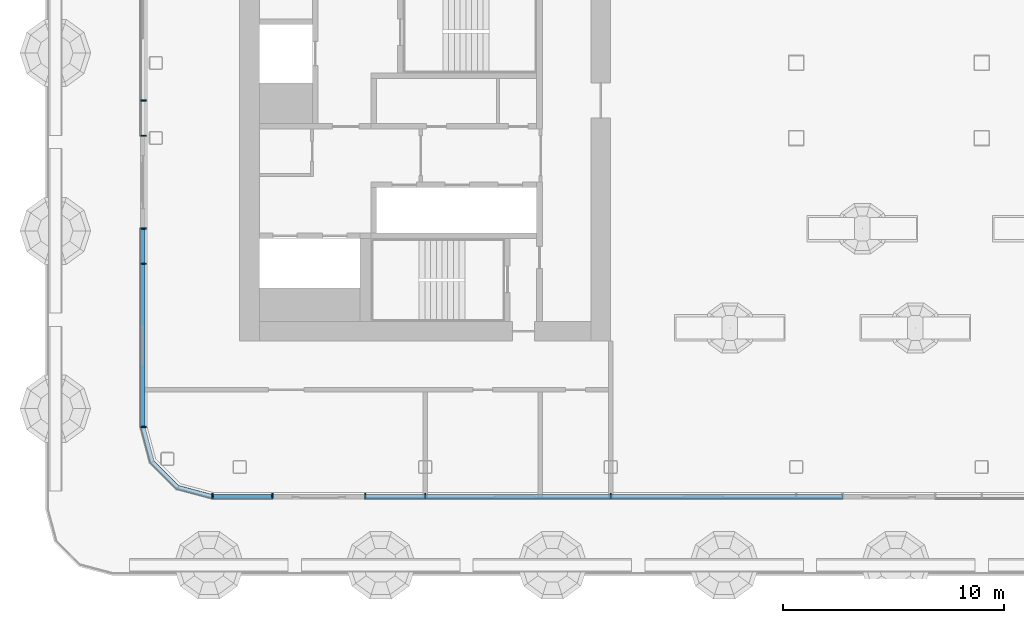
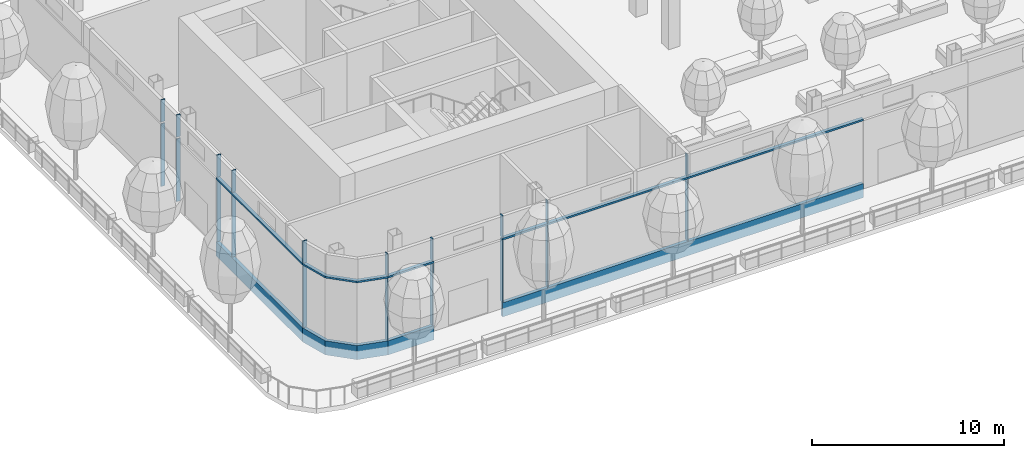
# One storey, part 2 of 41: 28 members, 3 elements without a shape of their own.
"""IFC4 building model written with IfcOpenShell, lengths in metres."""

from ifc_helpers import new_model, si_unit, direction, frame, origin, origin_2d, place, context, subcontext, project, spatial, polyline, rectangle, outline, extrude, material, layer, layer_set, material_profile, profile_set, type_object, element, aggregate, save


model = new_model("IFC4")

# Units and contexts
model_context = context("Model", 3, precision=1e-05, world=origin(), true_north=direction((0.0, 1.0)))
body_context = subcontext(model_context, "Body", "Model", "MODEL_VIEW")
ifc_project = project(units=[si_unit("LENGTHUNIT", "METRE"), si_unit("AREAUNIT", "SQUARE_METRE"), si_unit("VOLUMEUNIT", "CUBIC_METRE"), si_unit("PLANEANGLEUNIT", "RADIAN"), si_unit("MASSUNIT", "GRAM", prefix="KILO")], contexts=[model_context])

# Site, building, storey
site_placement = place(None, origin())
site = spatial("IfcSite", under=ifc_project, at=site_placement, CompositionType="ELEMENT")
building_placement = place(site_placement, origin())
building = spatial("IfcBuilding", under=site, at=building_placement, Name="Hakoniwa Tower and Hamabe Station Hall", CompositionType="ELEMENT")
storey_placement = place(building_placement, frame((0.0, 0.0, 180.199951171875)))
storey = spatial("IfcBuildingStorey", under=building, at=storey_placement, Name="L51", CompositionType="ELEMENT", Elevation=180.199951171875)

# Curtain wall, member
ifc_material_1 = material(Name="Dark low-e laminated glass", Category="glass")
ifc_layer = layer(ifc_material_1, 0.199951171875)
ifc_layer_set = layer_set([ifc_layer], Name="CW-2 SKY GARDEN")
curtain_wall_type = type_object("IfcCurtainWallType", Name="CW-2 SKY GARDEN", PredefinedType="NOTDEFINED", material=ifc_layer_set)
curtain_wall_1_placement = place(storey_placement, origin())
curtain_wall_1 = element("IfcCurtainWall", 1, at=curtain_wall_1_placement, inside=storey, type_object=curtain_wall_type, Name="CW-2 curtain wall", PredefinedType="NOTDEFINED")
ifc_material_2 = material(Name="Aluminium 6063-T5 black anodised", Category="aluminium")
ifc_material_profile_1 = material_profile(ifc_material_2, rectangle(XDim=0.199951171875, YDim=0.1201171875, at=origin_2d()), Name="CW MID TRANSOM 120X200")
ifc_profile_set_1 = profile_set([ifc_material_profile_1], Name="Aluminium 6063-T5 black anodised")
member_type_1 = type_object("IfcMemberType", Name="CW MID TRANSOM 120X200", PredefinedType="USERDEFINED", material=ifc_profile_set_1)
member_1_placement = place(storey_placement, frame((-38.0, -3.267333984375, 4.39013671875), z_axis=(0.0, -1.0, 0.0), x_axis=(1.0, 0.0, 0.0)))
member_1 = element("IfcMember", 2, at=member_1_placement, type_object=member_type_1, Name="CW-2 transom", ObjectType="TRANSOM", PredefinedType="USERDEFINED", context=body_context, shape_type="SweptSolid", body=[
    extrude(rectangle(XDim=0.199951171875, YDim=0.1201171875, at=origin_2d()), origin(), (0.0, 0.0, 1.0), 9.022216796875),
])

curtain_wall_2_placement = place(storey_placement, origin())
curtain_wall_2 = element("IfcCurtainWall", 3, at=curtain_wall_2_placement, inside=storey, type_object=curtain_wall_type, Name="CW-2 curtain wall", PredefinedType="NOTDEFINED")
member_2_placement = place(storey_placement, frame((0.0, 0.0, 4.330078125)))
member_2 = element("IfcMember", 4, at=member_2_placement, type_object=member_type_1, Name="CW-2 transom", ObjectType="TRANSOM", PredefinedType="USERDEFINED", context=body_context, shape_type="SweptSolid", body=[
    extrude(outline(polyline([(-38.10009765625, -12.28955078125), (-37.6669921875, -13.9052734375), (-36.455322265625, -15.116943359375), (-34.839599609375, -15.550048828125), (-34.787841796875, -15.35693359375), (-36.351806640625, -14.937744140625), (-37.48779296875, -13.8017578125), (-37.90673828125, -12.23779296875), (-38.10009765625, -12.28955078125)])), origin(), (0.0, 0.0, 1.0), 0.119873046875),
])

# Curtain wall, members
curtain_wall_3_placement = place(storey_placement, origin())
curtain_wall_3 = element("IfcCurtainWall", 5, at=curtain_wall_3_placement, inside=storey, type_object=curtain_wall_type, Name="CW-2 curtain wall", PredefinedType="NOTDEFINED")
member_3_placement = place(storey_placement, frame((-34.839599609375, -15.449951171875, 4.39013671875), z_axis=(1.0, 0.0, 0.0), x_axis=(0.0, 1.0, 0.0)))
member_3 = element("IfcMember", 6, at=member_3_placement, type_object=member_type_1, Name="CW-2 transom", ObjectType="TRANSOM", PredefinedType="USERDEFINED", context=body_context, shape_type="SweptSolid", body=[
    extrude(rectangle(XDim=0.199951171875, YDim=0.1201171875, at=origin_2d()), origin(), (0.0, 0.0, 1.0), 2.749755859375),
])
member_4_placement = place(storey_placement, frame((-27.94970703125, -15.449951171875, 4.39013671875), z_axis=(1.0, 0.0, 0.0), x_axis=(0.0, 1.0, 0.0)))
member_4 = element("IfcMember", 7, at=member_4_placement, type_object=member_type_1, Name="CW-2 transom", ObjectType="TRANSOM", PredefinedType="USERDEFINED", context=body_context, shape_type="SweptSolid", body=[
    extrude(rectangle(XDim=0.199951171875, YDim=0.1201171875, at=origin_2d()), origin(), (0.0, 0.0, 1.0), 21.6796875),
])

# Member
ifc_material_3 = material(Name="Aluminium 6063-T5 black anodised", Category="aluminium")
ifc_material_profile_2 = material_profile(ifc_material_3, rectangle(XDim=0.199951171875, YDim=0.89990234375, at=origin_2d()), Name="CW SLAB-EDGE BAND 900X200")
ifc_profile_set_2 = profile_set([ifc_material_profile_2], Name="Aluminium 6063-T5 black anodised")
member_type_2 = type_object("IfcMemberType", Name="CW SLAB-EDGE BAND 900X200", PredefinedType="USERDEFINED", material=ifc_profile_set_2)
member_5_placement = place(storey_placement, frame((-38.0, -3.267333984375, -0.099853515625), z_axis=(0.0, -1.0, 0.0), x_axis=(1.0, 0.0, 0.0)))
member_5 = element("IfcMember", 8, at=member_5_placement, type_object=member_type_2, Name="CW-2 transom", ObjectType="TRANSOM", PredefinedType="USERDEFINED", context=body_context, shape_type="SweptSolid", body=[
    extrude(rectangle(XDim=0.199951171875, YDim=0.89990234375, at=origin_2d()), origin(), (0.0, 0.0, 1.0), 9.022216796875),
])

member_6_placement = place(storey_placement, frame((0.0, 0.0, -0.550048828125)))
member_6 = element("IfcMember", 9, at=member_6_placement, type_object=member_type_2, Name="CW-2 transom", ObjectType="TRANSOM", PredefinedType="USERDEFINED", context=body_context, shape_type="SweptSolid", body=[
    extrude(outline(polyline([(-38.10009765625, -12.28955078125), (-37.6669921875, -13.9052734375), (-36.455322265625, -15.116943359375), (-34.839599609375, -15.550048828125), (-34.787841796875, -15.35693359375), (-36.351806640625, -14.937744140625), (-37.48779296875, -13.8017578125), (-37.90673828125, -12.23779296875), (-38.10009765625, -12.28955078125)])), origin(), (0.0, 0.0, 1.0), 0.900146484375),
])

aggregate(curtain_wall_2, [member_6, member_2])

member_7_placement = place(storey_placement, frame((-34.839599609375, -15.449951171875, -0.099853515625), z_axis=(1.0, 0.0, 0.0), x_axis=(0.0, 1.0, 0.0)))
member_7 = element("IfcMember", 10, at=member_7_placement, type_object=member_type_2, Name="CW-2 transom", ObjectType="TRANSOM", PredefinedType="USERDEFINED", context=body_context, shape_type="SweptSolid", body=[
    extrude(rectangle(XDim=0.199951171875, YDim=0.89990234375, at=origin_2d()), origin(), (0.0, 0.0, 1.0), 2.749755859375),
])

member_8_placement = place(storey_placement, frame((-27.94970703125, -15.449951171875, -0.099853515625), z_axis=(1.0, 0.0, 0.0), x_axis=(0.0, 1.0, 0.0)))
member_8 = element("IfcMember", 11, at=member_8_placement, type_object=member_type_2, Name="CW-2 transom", ObjectType="TRANSOM", PredefinedType="USERDEFINED", context=body_context, shape_type="SweptSolid", body=[
    extrude(rectangle(XDim=0.199951171875, YDim=0.89990234375, at=origin_2d()), origin(), (0.0, 0.0, 1.0), 21.6796875),
])

ifc_material_4 = material(Name="Aluminium 6063-T5 black anodised", Category="aluminium")
ifc_material_profile_3 = material_profile(ifc_material_4, rectangle(XDim=0.06005859375, YDim=0.239990234375, at=origin_2d()), Name="CW-2 MULLION 60X240")
ifc_profile_set_3 = profile_set([ifc_material_profile_3], Name="Aluminium 6063-T5 black anodised")
member_type_3 = type_object("IfcMemberType", Name="CW-2 MULLION 60X240", PredefinedType="MULLION", material=ifc_profile_set_3)
member_9_placement = place(storey_placement, frame((-37.951904296875, 2.5, 0.35009765625), z_axis=(0.0, 0.0, 1.0), x_axis=(0.0, -1.0, 0.0)))
member_9 = element("IfcMember", 12, at=member_9_placement, type_object=member_type_3, Name="CW-2 mullion", PredefinedType="MULLION", context=body_context, shape_type="SweptSolid", body=[
    extrude(rectangle(XDim=0.06005859375, YDim=0.239990234375, at=origin_2d()), origin(), (0.0, 0.0, 1.0), 3.97998046875),
])

member_10_placement = place(storey_placement, frame((-37.951904296875, 2.5, 4.449951171875), z_axis=(0.0, 0.0, 1.0), x_axis=(0.0, -1.0, 0.0)))
member_10 = element("IfcMember", 13, at=member_10_placement, type_object=member_type_3, Name="CW-2 mullion", PredefinedType="MULLION", context=body_context, shape_type="SweptSolid", body=[
    extrude(rectangle(XDim=0.06005859375, YDim=0.239990234375, at=origin_2d()), origin(), (0.0, 0.0, 1.0), 1.400146484375),
])

member_11_placement = place(storey_placement, frame((-37.951904296875, 0.902587890625, 0.35009765625), z_axis=(0.0, 0.0, 1.0), x_axis=(0.0, -1.0, 0.0)))
member_11 = element("IfcMember", 14, at=member_11_placement, type_object=member_type_3, Name="CW-2 mullion", PredefinedType="MULLION", context=body_context, shape_type="SweptSolid", body=[
    extrude(rectangle(XDim=0.06005859375, YDim=0.239990234375, at=origin_2d()), origin(), (0.0, 0.0, 1.0), 3.97998046875),
])

member_12_placement = place(storey_placement, frame((-37.951904296875, 0.902587890625, 4.449951171875), z_axis=(0.0, 0.0, 1.0), x_axis=(0.0, -1.0, 0.0)))
member_12 = element("IfcMember", 15, at=member_12_placement, type_object=member_type_3, Name="CW-2 mullion", PredefinedType="MULLION", context=body_context, shape_type="SweptSolid", body=[
    extrude(rectangle(XDim=0.06005859375, YDim=0.239990234375, at=origin_2d()), origin(), (0.0, 0.0, 1.0), 1.400146484375),
])

member_13_placement = place(storey_placement, frame((-37.951904296875, -3.29736328125, 0.35009765625), z_axis=(0.0, 0.0, 1.0), x_axis=(0.0, -1.0, 0.0)))
member_13 = element("IfcMember", 16, at=member_13_placement, type_object=member_type_3, Name="CW-2 mullion", PredefinedType="MULLION", context=body_context, shape_type="SweptSolid", body=[
    extrude(rectangle(XDim=0.06005859375, YDim=0.239990234375, at=origin_2d()), origin(), (0.0, 0.0, 1.0), 3.97998046875),
])

member_14_placement = place(storey_placement, frame((-37.951904296875, -3.29736328125, 4.449951171875), z_axis=(0.0, 0.0, 1.0), x_axis=(0.0, -1.0, 0.0)))
member_14 = element("IfcMember", 17, at=member_14_placement, type_object=member_type_3, Name="CW-2 mullion", PredefinedType="MULLION", context=body_context, shape_type="SweptSolid", body=[
    extrude(rectangle(XDim=0.06005859375, YDim=0.239990234375, at=origin_2d()), origin(), (0.0, 0.0, 1.0), 1.400146484375),
])

member_15_placement = place(storey_placement, frame((-37.951904296875, -4.894775390625, 0.35009765625), z_axis=(0.0, 0.0, 1.0), x_axis=(0.0, -1.0, 0.0)))
member_15 = element("IfcMember", 18, at=member_15_placement, type_object=member_type_3, Name="CW-2 mullion", PredefinedType="MULLION", context=body_context, shape_type="SweptSolid", body=[
    extrude(rectangle(XDim=0.06005859375, YDim=0.239990234375, at=origin_2d()), origin(), (0.0, 0.0, 1.0), 3.97998046875),
])

member_16_placement = place(storey_placement, frame((-37.951904296875, -4.894775390625, 4.449951171875), z_axis=(0.0, 0.0, 1.0), x_axis=(0.0, -1.0, 0.0)))
member_16 = element("IfcMember", 19, at=member_16_placement, type_object=member_type_3, Name="CW-2 mullion", PredefinedType="MULLION", context=body_context, shape_type="SweptSolid", body=[
    extrude(rectangle(XDim=0.06005859375, YDim=0.239990234375, at=origin_2d()), origin(), (0.0, 0.0, 1.0), 1.400146484375),
])

member_17_placement = place(storey_placement, frame((-37.951904296875, -12.28955078125, 0.35009765625), z_axis=(0.0, 0.0, 1.0), x_axis=(0.0, -1.0, 0.0)))
member_17 = element("IfcMember", 20, at=member_17_placement, type_object=member_type_3, Name="CW-2 mullion", PredefinedType="MULLION", context=body_context, shape_type="SweptSolid", body=[
    extrude(rectangle(XDim=0.06005859375, YDim=0.239990234375, at=origin_2d()), origin(), (0.0, 0.0, 1.0), 3.97998046875),
])

member_18_placement = place(storey_placement, frame((-37.951904296875, -12.28955078125, 4.449951171875), z_axis=(0.0, 0.0, 1.0), x_axis=(0.0, -1.0, 0.0)))
member_18 = element("IfcMember", 21, at=member_18_placement, type_object=member_type_3, Name="CW-2 mullion", PredefinedType="MULLION", context=body_context, shape_type="SweptSolid", body=[
    extrude(rectangle(XDim=0.06005859375, YDim=0.239990234375, at=origin_2d()), origin(), (0.0, 0.0, 1.0), 1.400146484375),
])

aggregate(curtain_wall_1, [member_9, member_10, member_11, member_12, member_13, member_14, member_15, member_16, member_17, member_18, member_5, member_1])

member_19_placement = place(storey_placement, frame((-34.839599609375, -15.402099609375, 0.35009765625), z_axis=(0.0, 0.0, 1.0), x_axis=(1.0, 0.0, 0.0)))
member_19 = element("IfcMember", 22, at=member_19_placement, type_object=member_type_3, Name="CW-2 mullion", PredefinedType="MULLION", context=body_context, shape_type="SweptSolid", body=[
    extrude(rectangle(XDim=0.06005859375, YDim=0.239990234375, at=origin_2d()), origin(), (0.0, 0.0, 1.0), 3.97998046875),
])

member_20_placement = place(storey_placement, frame((-34.839599609375, -15.402099609375, 4.449951171875), z_axis=(0.0, 0.0, 1.0), x_axis=(1.0, 0.0, 0.0)))
member_20 = element("IfcMember", 23, at=member_20_placement, type_object=member_type_3, Name="CW-2 mullion", PredefinedType="MULLION", context=body_context, shape_type="SweptSolid", body=[
    extrude(rectangle(XDim=0.06005859375, YDim=0.239990234375, at=origin_2d()), origin(), (0.0, 0.0, 1.0), 1.400146484375),
])

member_21_placement = place(storey_placement, frame((-32.11962890625, -15.402099609375, 0.35009765625), z_axis=(0.0, 0.0, 1.0), x_axis=(1.0, 0.0, 0.0)))
member_21 = element("IfcMember", 24, at=member_21_placement, type_object=member_type_3, Name="CW-2 mullion", PredefinedType="MULLION", context=body_context, shape_type="SweptSolid", body=[
    extrude(rectangle(XDim=0.06005859375, YDim=0.239990234375, at=origin_2d()), origin(), (0.0, 0.0, 1.0), 3.97998046875),
])

member_22_placement = place(storey_placement, frame((-32.11962890625, -15.402099609375, 4.449951171875), z_axis=(0.0, 0.0, 1.0), x_axis=(1.0, 0.0, 0.0)))
member_22 = element("IfcMember", 25, at=member_22_placement, type_object=member_type_3, Name="CW-2 mullion", PredefinedType="MULLION", context=body_context, shape_type="SweptSolid", body=[
    extrude(rectangle(XDim=0.06005859375, YDim=0.239990234375, at=origin_2d()), origin(), (0.0, 0.0, 1.0), 1.400146484375),
])

member_23_placement = place(storey_placement, frame((-27.919677734375, -15.402099609375, 0.35009765625), z_axis=(0.0, 0.0, 1.0), x_axis=(1.0, 0.0, 0.0)))
member_23 = element("IfcMember", 26, at=member_23_placement, type_object=member_type_3, Name="CW-2 mullion", PredefinedType="MULLION", context=body_context, shape_type="SweptSolid", body=[
    extrude(rectangle(XDim=0.06005859375, YDim=0.239990234375, at=origin_2d()), origin(), (0.0, 0.0, 1.0), 3.97998046875),
])

member_24_placement = place(storey_placement, frame((-27.919677734375, -15.402099609375, 4.449951171875), z_axis=(0.0, 0.0, 1.0), x_axis=(1.0, 0.0, 0.0)))
member_24 = element("IfcMember", 27, at=member_24_placement, type_object=member_type_3, Name="CW-2 mullion", PredefinedType="MULLION", context=body_context, shape_type="SweptSolid", body=[
    extrude(rectangle(XDim=0.06005859375, YDim=0.239990234375, at=origin_2d()), origin(), (0.0, 0.0, 1.0), 1.400146484375),
])

member_25_placement = place(storey_placement, frame((-25.199951171875, -15.402099609375, 0.35009765625), z_axis=(0.0, 0.0, 1.0), x_axis=(1.0, 0.0, 0.0)))
member_25 = element("IfcMember", 28, at=member_25_placement, type_object=member_type_3, Name="CW-2 mullion", PredefinedType="MULLION", context=body_context, shape_type="SweptSolid", body=[
    extrude(rectangle(XDim=0.06005859375, YDim=0.239990234375, at=origin_2d()), origin(), (0.0, 0.0, 1.0), 3.97998046875),
])

member_26_placement = place(storey_placement, frame((-25.199951171875, -15.402099609375, 4.449951171875), z_axis=(0.0, 0.0, 1.0), x_axis=(1.0, 0.0, 0.0)))
member_26 = element("IfcMember", 29, at=member_26_placement, type_object=member_type_3, Name="CW-2 mullion", PredefinedType="MULLION", context=body_context, shape_type="SweptSolid", body=[
    extrude(rectangle(XDim=0.06005859375, YDim=0.239990234375, at=origin_2d()), origin(), (0.0, 0.0, 1.0), 1.400146484375),
])

member_27_placement = place(storey_placement, frame((-16.800048828125, -15.402099609375, 0.35009765625), z_axis=(0.0, 0.0, 1.0), x_axis=(1.0, 0.0, 0.0)))
member_27 = element("IfcMember", 30, at=member_27_placement, type_object=member_type_3, Name="CW-2 mullion", PredefinedType="MULLION", context=body_context, shape_type="SweptSolid", body=[
    extrude(rectangle(XDim=0.06005859375, YDim=0.239990234375, at=origin_2d()), origin(), (0.0, 0.0, 1.0), 3.97998046875),
])

member_28_placement = place(storey_placement, frame((-16.800048828125, -15.402099609375, 4.449951171875), z_axis=(0.0, 0.0, 1.0), x_axis=(1.0, 0.0, 0.0)))
member_28 = element("IfcMember", 31, at=member_28_placement, type_object=member_type_3, Name="CW-2 mullion", PredefinedType="MULLION", context=body_context, shape_type="SweptSolid", body=[
    extrude(rectangle(XDim=0.06005859375, YDim=0.239990234375, at=origin_2d()), origin(), (0.0, 0.0, 1.0), 1.400146484375),
])

aggregate(curtain_wall_3, [member_19, member_20, member_21, member_22, member_23, member_24, member_25, member_26, member_27, member_28, member_7, member_3, member_8, member_4])

save(model, "model.ifc")
